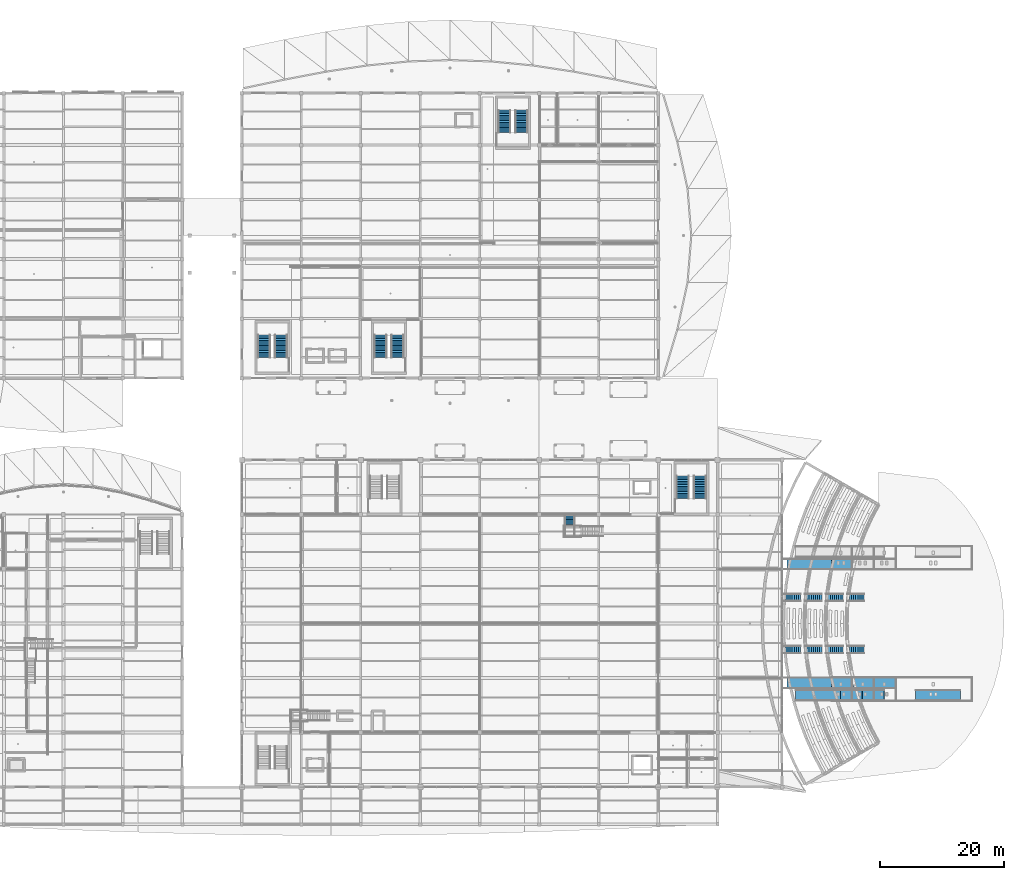
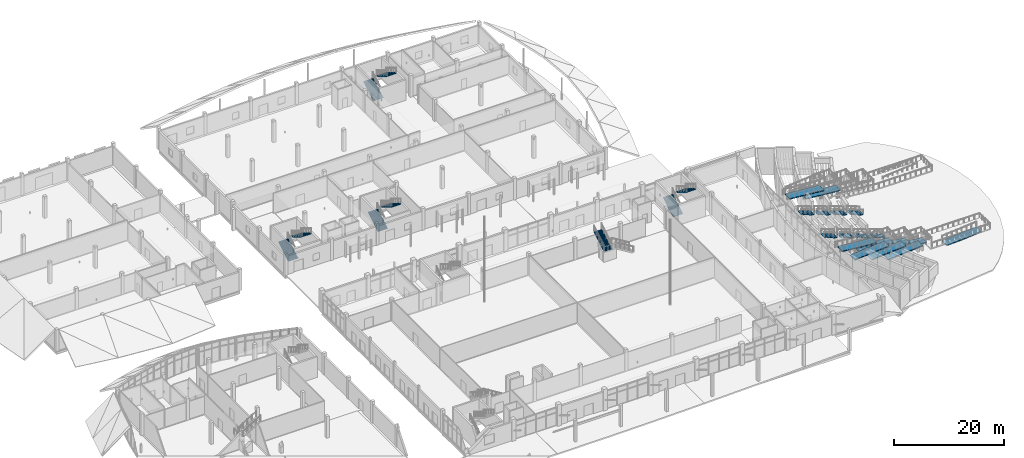
# One storey, part 88 of 116: 17 stair flights, 10 ramp flights, 13 elements without a shape of their own.
"""IFC4 building model written with IfcOpenShell, lengths in metres."""

from ifc_helpers import new_model, si_unit, direction, frame, origin, place, context, subcontext, project, spatial, polyline, outline, extrude, material, layer, layer_set, type_object, element, aggregate, save


model = new_model("IFC4")

# Units and contexts
model_context = context("Model", 3, precision=1e-05, world=origin(), true_north=direction((0.0, 1.0)))
body_context = subcontext(model_context, "Body", "Model", "MODEL_VIEW")
ifc_project = project(units=[si_unit("LENGTHUNIT", "METRE"), si_unit("AREAUNIT", "SQUARE_METRE"), si_unit("VOLUMEUNIT", "CUBIC_METRE"), si_unit("PLANEANGLEUNIT", "RADIAN"), si_unit("MASSUNIT", "GRAM", prefix="KILO")], contexts=[model_context])

# Site, building, storey
site_placement = place(None, origin())
site = spatial("IfcSite", under=ifc_project, at=site_placement, CompositionType="ELEMENT")
building_placement = place(site_placement, origin())
building = spatial("IfcBuilding", under=site, at=building_placement, Name="Chalmorin Arch Market", CompositionType="ELEMENT")
storey_placement = place(building_placement, origin())
storey = spatial("IfcBuildingStorey", under=building, at=storey_placement, Name="L00", CompositionType="ELEMENT", Elevation=0.0)

# Stair, stair flights
ifc_material_1 = material(Name="Concrete C40/50", Category="concrete")
stair_type_1 = type_object("IfcStairType", Name="DoglegExitStair-28R-SC4", PredefinedType="HALF_TURN_STAIR", material=ifc_material_1)
stair_1_placement = place(storey_placement, origin())
stair_1 = element("IfcStair", 1, at=stair_1_placement, inside=storey, type_object=stair_type_1, Name="ST-09", PredefinedType="HALF_TURN_STAIR")
ifc_layer_1 = layer(ifc_material_1, 0.1650390625)
ifc_layer_set_1 = layer_set([ifc_layer_1], Name="Concrete C40/50")
stair_flight_type_1 = type_object("IfcStairFlightType", Name="CoreStairFlight-2050", PredefinedType="STRAIGHT", material=ifc_layer_set_1)
stair_flight_1_placement = place(storey_placement, frame((119.1650390625, 52.56005859375, 0.0), z_axis=(0.0, 0.0, 1.0), x_axis=(0.0, 1.0, 0.0)))
stair_flight_1 = element("IfcStairFlight", 2, at=stair_flight_1_placement, type_object=stair_flight_type_1, Name="ST-09-F1", NumberOfRisers=14, NumberOfTreads=13, PredefinedType="STRAIGHT", RiserHeight=0.171429, TreadLength=0.28, context=body_context, shape_type="SweptSolid", body=[
    extrude(outline(polyline([(0.0, 0.0), (0.0, 0.17138671875), (0.280029296875, 0.17138671875), (0.280029296875, 0.3427734375), (0.56005859375, 0.3427734375), (0.56005859375, 0.514404296875), (0.840087890625, 0.514404296875), (0.840087890625, 0.685791015625), (1.1201171875, 0.685791015625), (1.1201171875, 0.857177734375), (1.39990234375, 0.857177734375), (1.39990234375, 1.028564453125), (1.679931640625, 1.028564453125), (1.679931640625, 1.199951171875), (1.9599609375, 1.199951171875), (1.9599609375, 1.371337890625), (2.239990234375, 1.371337890625), (2.239990234375, 1.54296875), (2.52001953125, 1.54296875), (2.52001953125, 1.71435546875), (2.800048828125, 1.71435546875), (2.800048828125, 1.8857421875), (3.080078125, 1.8857421875), (3.080078125, 2.05712890625), (3.360107421875, 2.05712890625), (3.360107421875, 2.228515625), (3.639892578125, 2.228515625), (3.639892578125, 2.39990234375), (3.639892578125, 2.03515625), (0.316162109375, 0.0), (0.0, 0.0)])), frame((0.0, 1.02490234375, 0.0), z_axis=(0.0, -1.0, 0.0), x_axis=(1.0, 0.0, 0.0)), (0.0, 0.0, 1.0), 2.050048828125),
])
stair_flight_2_placement = place(storey_placement, frame((121.93505859375, 56.199951171875, 2.39990234375), z_axis=(0.0, 0.0, 1.0), x_axis=(0.0, -1.0, 0.0)))
stair_flight_2 = element("IfcStairFlight", 3, at=stair_flight_2_placement, type_object=stair_flight_type_1, Name="ST-09-F2", NumberOfRisers=14, NumberOfTreads=13, PredefinedType="STRAIGHT", RiserHeight=0.171429, TreadLength=0.28, context=body_context, shape_type="SweptSolid", body=[
    extrude(outline(polyline([(0.0, 0.0), (0.0, 0.17138671875), (0.280029296875, 0.17138671875), (0.280029296875, 0.3427734375), (0.56005859375, 0.3427734375), (0.56005859375, 0.514404296875), (0.840087890625, 0.514404296875), (0.840087890625, 0.685791015625), (1.1201171875, 0.685791015625), (1.1201171875, 0.857177734375), (1.39990234375, 0.857177734375), (1.39990234375, 1.028564453125), (1.679931640625, 1.028564453125), (1.679931640625, 1.199951171875), (1.9599609375, 1.199951171875), (1.9599609375, 1.371337890625), (2.239990234375, 1.371337890625), (2.239990234375, 1.54296875), (2.52001953125, 1.54296875), (2.52001953125, 1.71435546875), (2.800048828125, 1.71435546875), (2.800048828125, 1.8857421875), (3.080078125, 1.8857421875), (3.080078125, 2.05712890625), (3.360107421875, 2.05712890625), (3.360107421875, 2.228515625), (3.639892578125, 2.228515625), (3.639892578125, 2.39990234375), (3.639892578125, 2.03515625), (0.316162109375, 0.0), (0.0, 0.0)])), frame((0.0, 1.02490234375, 0.0), z_axis=(0.0, -1.0, 0.0), x_axis=(1.0, 0.0, 0.0)), (0.0, 0.0, 1.0), 2.050048828125),
])
aggregate(stair_1, [stair_flight_1, stair_flight_2])

stair_type_2 = type_object("IfcStairType", Name="DoglegExitStair-28R-SC5", PredefinedType="HALF_TURN_STAIR", material=ifc_material_1)
stair_2_placement = place(storey_placement, origin())
stair_2 = element("IfcStair", 4, at=stair_2_placement, inside=storey, type_object=stair_type_2, Name="ST-12", PredefinedType="HALF_TURN_STAIR")
stair_flight_3_placement = place(storey_placement, frame((51.56494140625, 75.31005859375, 0.0), z_axis=(0.0, 0.0, 1.0), x_axis=(0.0, 1.0, 0.0)))
stair_flight_3 = element("IfcStairFlight", 5, at=stair_flight_3_placement, type_object=stair_flight_type_1, Name="ST-12-F1", NumberOfRisers=14, NumberOfTreads=13, PredefinedType="STRAIGHT", RiserHeight=0.171429, TreadLength=0.28, context=body_context, shape_type="SweptSolid", body=[
    extrude(outline(polyline([(0.0, 0.0), (0.0, 0.17138671875), (0.280029296875, 0.17138671875), (0.280029296875, 0.3427734375), (0.56005859375, 0.3427734375), (0.56005859375, 0.514404296875), (0.840087890625, 0.514404296875), (0.840087890625, 0.685791015625), (1.1201171875, 0.685791015625), (1.1201171875, 0.857177734375), (1.39990234375, 0.857177734375), (1.39990234375, 1.028564453125), (1.679931640625, 1.028564453125), (1.679931640625, 1.199951171875), (1.9599609375, 1.199951171875), (1.9599609375, 1.371337890625), (2.239990234375, 1.371337890625), (2.239990234375, 1.54296875), (2.52001953125, 1.54296875), (2.52001953125, 1.71435546875), (2.800048828125, 1.71435546875), (2.800048828125, 1.8857421875), (3.080078125, 1.8857421875), (3.080078125, 2.05712890625), (3.360107421875, 2.05712890625), (3.360107421875, 2.228515625), (3.639892578125, 2.228515625), (3.639892578125, 2.39990234375), (3.639892578125, 2.03515625), (0.316162109375, 0.0), (0.0, 0.0)])), frame((0.0, 1.02490234375, 0.0), z_axis=(0.0, -1.0, 0.0), x_axis=(1.0, 0.0, 0.0)), (0.0, 0.0, 1.0), 2.050048828125),
])
stair_flight_4_placement = place(storey_placement, frame((54.3349609375, 78.949951171875, 2.39990234375), z_axis=(0.0, 0.0, 1.0), x_axis=(0.0, -1.0, 0.0)))
stair_flight_4 = element("IfcStairFlight", 6, at=stair_flight_4_placement, type_object=stair_flight_type_1, Name="ST-12-F2", NumberOfRisers=14, NumberOfTreads=13, PredefinedType="STRAIGHT", RiserHeight=0.171429, TreadLength=0.28, context=body_context, shape_type="SweptSolid", body=[
    extrude(outline(polyline([(0.0, 0.0), (0.0, 0.17138671875), (0.280029296875, 0.17138671875), (0.280029296875, 0.3427734375), (0.56005859375, 0.3427734375), (0.56005859375, 0.514404296875), (0.840087890625, 0.514404296875), (0.840087890625, 0.685791015625), (1.1201171875, 0.685791015625), (1.1201171875, 0.857177734375), (1.39990234375, 0.857177734375), (1.39990234375, 1.028564453125), (1.679931640625, 1.028564453125), (1.679931640625, 1.199951171875), (1.9599609375, 1.199951171875), (1.9599609375, 1.371337890625), (2.239990234375, 1.371337890625), (2.239990234375, 1.54296875), (2.52001953125, 1.54296875), (2.52001953125, 1.71435546875), (2.800048828125, 1.71435546875), (2.800048828125, 1.8857421875), (3.080078125, 1.8857421875), (3.080078125, 2.05712890625), (3.360107421875, 2.05712890625), (3.360107421875, 2.228515625), (3.639892578125, 2.228515625), (3.639892578125, 2.39990234375), (3.639892578125, 2.03515625), (0.316162109375, 0.0), (0.0, 0.0)])), frame((0.0, 1.02490234375, 0.0), z_axis=(0.0, -1.0, 0.0), x_axis=(1.0, 0.0, 0.0)), (0.0, 0.0, 1.0), 2.050048828125),
])
aggregate(stair_2, [stair_flight_3, stair_flight_4])

stair_type_3 = type_object("IfcStairType", Name="DoglegExitStair-28R-SC6", PredefinedType="HALF_TURN_STAIR", material=ifc_material_1)
stair_3_placement = place(storey_placement, origin())
stair_3 = element("IfcStair", 7, at=stair_3_placement, inside=storey, type_object=stair_type_3, Name="ST-16", PredefinedType="HALF_TURN_STAIR")
stair_flight_5_placement = place(storey_placement, frame((90.364990234375, 111.610107421875, 0.0), z_axis=(0.0, 0.0, 1.0), x_axis=(0.0, 1.0, 0.0)))
stair_flight_5 = element("IfcStairFlight", 8, at=stair_flight_5_placement, type_object=stair_flight_type_1, Name="ST-16-F1", NumberOfRisers=14, NumberOfTreads=13, PredefinedType="STRAIGHT", RiserHeight=0.171429, TreadLength=0.28, context=body_context, shape_type="SweptSolid", body=[
    extrude(outline(polyline([(0.0, 0.0), (0.0, 0.17138671875), (0.280029296875, 0.17138671875), (0.280029296875, 0.3427734375), (0.56005859375, 0.3427734375), (0.56005859375, 0.514404296875), (0.840087890625, 0.514404296875), (0.840087890625, 0.685791015625), (1.1201171875, 0.685791015625), (1.1201171875, 0.857177734375), (1.39990234375, 0.857177734375), (1.39990234375, 1.028564453125), (1.679931640625, 1.028564453125), (1.679931640625, 1.199951171875), (1.9599609375, 1.199951171875), (1.9599609375, 1.371337890625), (2.239990234375, 1.371337890625), (2.239990234375, 1.54296875), (2.52001953125, 1.54296875), (2.52001953125, 1.71435546875), (2.800048828125, 1.71435546875), (2.800048828125, 1.8857421875), (3.080078125, 1.8857421875), (3.080078125, 2.05712890625), (3.360107421875, 2.05712890625), (3.360107421875, 2.228515625), (3.639892578125, 2.228515625), (3.639892578125, 2.39990234375), (3.639892578125, 2.03515625), (0.316162109375, 0.0), (0.0, 0.0)])), frame((0.0, 1.02490234375, 0.0), z_axis=(0.0, -1.0, 0.0), x_axis=(1.0, 0.0, 0.0)), (0.0, 0.0, 1.0), 2.050048828125),
])
stair_flight_6_placement = place(storey_placement, frame((93.135009765625, 115.25, 2.39990234375), z_axis=(0.0, 0.0, 1.0), x_axis=(0.0, -1.0, 0.0)))
stair_flight_6 = element("IfcStairFlight", 9, at=stair_flight_6_placement, type_object=stair_flight_type_1, Name="ST-16-F2", NumberOfRisers=14, NumberOfTreads=13, PredefinedType="STRAIGHT", RiserHeight=0.171429, TreadLength=0.28, context=body_context, shape_type="SweptSolid", body=[
    extrude(outline(polyline([(0.0, 0.0), (0.0, 0.17138671875), (0.280029296875, 0.17138671875), (0.280029296875, 0.3427734375), (0.56005859375, 0.3427734375), (0.56005859375, 0.514404296875), (0.840087890625, 0.514404296875), (0.840087890625, 0.685791015625), (1.1201171875, 0.685791015625), (1.1201171875, 0.857177734375), (1.39990234375, 0.857177734375), (1.39990234375, 1.028564453125), (1.679931640625, 1.028564453125), (1.679931640625, 1.199951171875), (1.9599609375, 1.199951171875), (1.9599609375, 1.371337890625), (2.239990234375, 1.371337890625), (2.239990234375, 1.54296875), (2.52001953125, 1.54296875), (2.52001953125, 1.71435546875), (2.800048828125, 1.71435546875), (2.800048828125, 1.8857421875), (3.080078125, 1.8857421875), (3.080078125, 2.05712890625), (3.360107421875, 2.05712890625), (3.360107421875, 2.228515625), (3.639892578125, 2.228515625), (3.639892578125, 2.39990234375), (3.639892578125, 2.03515625), (0.316162109375, 0.0), (0.0, 0.0)])), frame((0.0, 1.02490234375, 0.0), z_axis=(0.0, -1.0, 0.0), x_axis=(1.0, 0.0, 0.0)), (0.0, 0.0, 1.0), 2.050048828125),
])
aggregate(stair_3, [stair_flight_5, stair_flight_6])

stair_type_4 = type_object("IfcStairType", Name="DoglegExitStair-28R-SC7", PredefinedType="HALF_TURN_STAIR", material=ifc_material_1)
stair_4_placement = place(storey_placement, origin())
stair_4 = element("IfcStair", 10, at=stair_4_placement, inside=storey, type_object=stair_type_4, Name="ST-20", PredefinedType="HALF_TURN_STAIR")
stair_flight_7_placement = place(storey_placement, frame((70.364990234375, 75.31005859375, 0.0), z_axis=(0.0, 0.0, 1.0), x_axis=(0.0, 1.0, 0.0)))
stair_flight_7 = element("IfcStairFlight", 11, at=stair_flight_7_placement, type_object=stair_flight_type_1, Name="ST-20-F1", NumberOfRisers=14, NumberOfTreads=13, PredefinedType="STRAIGHT", RiserHeight=0.171429, TreadLength=0.28, context=body_context, shape_type="SweptSolid", body=[
    extrude(outline(polyline([(0.0, 0.0), (0.0, 0.17138671875), (0.280029296875, 0.17138671875), (0.280029296875, 0.3427734375), (0.56005859375, 0.3427734375), (0.56005859375, 0.514404296875), (0.840087890625, 0.514404296875), (0.840087890625, 0.685791015625), (1.1201171875, 0.685791015625), (1.1201171875, 0.857177734375), (1.39990234375, 0.857177734375), (1.39990234375, 1.028564453125), (1.679931640625, 1.028564453125), (1.679931640625, 1.199951171875), (1.9599609375, 1.199951171875), (1.9599609375, 1.371337890625), (2.239990234375, 1.371337890625), (2.239990234375, 1.54296875), (2.52001953125, 1.54296875), (2.52001953125, 1.71435546875), (2.800048828125, 1.71435546875), (2.800048828125, 1.8857421875), (3.080078125, 1.8857421875), (3.080078125, 2.05712890625), (3.360107421875, 2.05712890625), (3.360107421875, 2.228515625), (3.639892578125, 2.228515625), (3.639892578125, 2.39990234375), (3.639892578125, 2.03515625), (0.316162109375, 0.0), (0.0, 0.0)])), frame((0.0, 1.02490234375, 0.0), z_axis=(0.0, -1.0, 0.0), x_axis=(1.0, 0.0, 0.0)), (0.0, 0.0, 1.0), 2.050048828125),
])
stair_flight_8_placement = place(storey_placement, frame((73.135009765625, 78.949951171875, 2.39990234375), z_axis=(0.0, 0.0, 1.0), x_axis=(0.0, -1.0, 0.0)))
stair_flight_8 = element("IfcStairFlight", 12, at=stair_flight_8_placement, type_object=stair_flight_type_1, Name="ST-20-F2", NumberOfRisers=14, NumberOfTreads=13, PredefinedType="STRAIGHT", RiserHeight=0.171429, TreadLength=0.28, context=body_context, shape_type="SweptSolid", body=[
    extrude(outline(polyline([(0.0, 0.0), (0.0, 0.17138671875), (0.280029296875, 0.17138671875), (0.280029296875, 0.3427734375), (0.56005859375, 0.3427734375), (0.56005859375, 0.514404296875), (0.840087890625, 0.514404296875), (0.840087890625, 0.685791015625), (1.1201171875, 0.685791015625), (1.1201171875, 0.857177734375), (1.39990234375, 0.857177734375), (1.39990234375, 1.028564453125), (1.679931640625, 1.028564453125), (1.679931640625, 1.199951171875), (1.9599609375, 1.199951171875), (1.9599609375, 1.371337890625), (2.239990234375, 1.371337890625), (2.239990234375, 1.54296875), (2.52001953125, 1.54296875), (2.52001953125, 1.71435546875), (2.800048828125, 1.71435546875), (2.800048828125, 1.8857421875), (3.080078125, 1.8857421875), (3.080078125, 2.05712890625), (3.360107421875, 2.05712890625), (3.360107421875, 2.228515625), (3.639892578125, 2.228515625), (3.639892578125, 2.39990234375), (3.639892578125, 2.03515625), (0.316162109375, 0.0), (0.0, 0.0)])), frame((0.0, 1.02490234375, 0.0), z_axis=(0.0, -1.0, 0.0), x_axis=(1.0, 0.0, 0.0)), (0.0, 0.0, 1.0), 2.050048828125),
])
aggregate(stair_4, [stair_flight_7, stair_flight_8])

# Stair, stair flight
ifc_material_2 = material(Name="Steel A992 Grade 50", Category="steel")
stair_type_5 = type_object("IfcStairType", Name="GalleryFeatureStair-Steel", PredefinedType="QUARTER_TURN_STAIR", material=ifc_material_2)
stair_5_placement = place(storey_placement, origin())
stair_5 = element("IfcStair", 13, at=stair_5_placement, inside=storey, type_object=stair_type_5, Name="ST-27", PredefinedType="QUARTER_TURN_STAIR")
ifc_layer_2 = layer(ifc_material_2, 0.159912109375)
ifc_layer_set_2 = layer_set([ifc_layer_2], Name="Steel A992 Grade 50")
stair_flight_type_2 = type_object("IfcStairFlightType", Name="FeatureStairFlight-1650", PredefinedType="STRAIGHT", material=ifc_layer_set_2)
stair_flight_9_placement = place(storey_placement, frame((100.89990234375, 46.389892578125, 2.39990234375), z_axis=(0.0, 0.0, 1.0), x_axis=(0.0, 1.0, 0.0)))
stair_flight_9 = element("IfcStairFlight", 14, at=stair_flight_9_placement, type_object=stair_flight_type_2, Name="ST-27-F2", NumberOfRisers=14, NumberOfTreads=13, PredefinedType="STRAIGHT", RiserHeight=0.171429, TreadLength=0.28, context=body_context, shape_type="SweptSolid", body=[
    extrude(outline(polyline([(0.0, 0.0), (0.0, 0.17138671875), (0.280029296875, 0.17138671875), (0.280029296875, 0.3427734375), (0.56005859375, 0.3427734375), (0.56005859375, 0.514404296875), (0.840087890625, 0.514404296875), (0.840087890625, 0.685791015625), (1.1201171875, 0.685791015625), (1.1201171875, 0.857177734375), (1.39990234375, 0.857177734375), (1.39990234375, 1.028564453125), (1.679931640625, 1.028564453125), (1.679931640625, 1.199951171875), (1.9599609375, 1.199951171875), (1.9599609375, 1.371337890625), (2.239990234375, 1.371337890625), (2.239990234375, 1.54296875), (2.52001953125, 1.54296875), (2.52001953125, 1.71435546875), (2.800048828125, 1.71435546875), (2.800048828125, 1.8857421875), (3.080078125, 1.8857421875), (3.080078125, 2.05712890625), (3.360107421875, 2.05712890625), (3.360107421875, 2.228515625), (3.639892578125, 2.228515625), (3.639892578125, 2.39990234375), (3.639892578125, 2.041015625), (0.30615234375, 0.0), (0.0, 0.0)])), frame((0.0, 0.824951171875, 0.0), z_axis=(0.0, -1.0, 0.0), x_axis=(1.0, 0.0, 0.0)), (0.0, 0.0, 1.0), 1.64990234375),
])
aggregate(stair_5, [stair_flight_9])

# Stair, stair flights
stair_type_6 = type_object("IfcStairType", Name="TerraceCascadeStair-Granite", PredefinedType="STRAIGHT_RUN_STAIR", material=ifc_material_1)
stair_6_placement = place(storey_placement, origin())
stair_6 = element("IfcStair", 15, at=stair_6_placement, inside=storey, type_object=stair_type_6, Name="ST-30", PredefinedType="STRAIGHT_RUN_STAIR")
ifc_layer_3 = layer(ifc_material_1, 0.1650390625)
ifc_layer_set_3 = layer_set([ifc_layer_3], Name="Concrete C40/50")
stair_flight_type_3 = type_object("IfcStairFlightType", Name="TerraceStairFlight-1300", PredefinedType="STRAIGHT", material=ifc_layer_set_3)
stair_flight_10_placement = place(storey_placement, frame((148.429931640625, 28.199951171875, 0.0), z_axis=(0.0, 0.0, 1.0), x_axis=(-1.0, 0.0, 0.0)))
stair_flight_10 = element("IfcStairFlight", 16, at=stair_flight_10_placement, type_object=stair_flight_type_3, Name="ST-30-F1", NumberOfRisers=9, NumberOfTreads=8, PredefinedType="STRAIGHT", RiserHeight=0.133333, TreadLength=0.34, context=body_context, shape_type="SweptSolid", body=[
    extrude(outline(polyline([(0.0, 0.0), (0.0, 0.13330078125), (0.340087890625, 0.13330078125), (0.340087890625, 0.2666015625), (0.679931640625, 0.2666015625), (0.679931640625, 0.39990234375), (1.02001953125, 0.39990234375), (1.02001953125, 0.533447265625), (1.360107421875, 0.533447265625), (1.360107421875, 0.666748046875), (1.699951171875, 0.666748046875), (1.699951171875, 0.800048828125), (2.0400390625, 0.800048828125), (2.0400390625, 0.933349609375), (2.3798828125, 0.933349609375), (2.3798828125, 1.066650390625), (2.719970703125, 1.066650390625), (2.719970703125, 1.199951171875), (2.719970703125, 0.889404296875), (0.4521484375, 0.0), (0.0, 0.0)])), frame((0.0, 0.64990234375, 0.0), z_axis=(0.0, -1.0, 0.0), x_axis=(1.0, 0.0, 0.0)), (0.0, 0.0, 1.0), 1.300048828125),
])
stair_flight_11_placement = place(storey_placement, frame((145.011962890625, 28.199951171875, 1.199951171875), z_axis=(0.0, 0.0, 1.0), x_axis=(-1.0, 0.0, 0.0)))
stair_flight_11 = element("IfcStairFlight", 17, at=stair_flight_11_placement, type_object=stair_flight_type_3, Name="ST-30-F2", NumberOfRisers=9, NumberOfTreads=8, PredefinedType="STRAIGHT", RiserHeight=0.133333, TreadLength=0.34, context=body_context, shape_type="SweptSolid", body=[
    extrude(outline(polyline([(0.0, 0.0), (0.0, 0.13330078125), (0.340087890625, 0.13330078125), (0.340087890625, 0.2666015625), (0.679931640625, 0.2666015625), (0.679931640625, 0.39990234375), (1.02001953125, 0.39990234375), (1.02001953125, 0.533447265625), (1.360107421875, 0.533447265625), (1.360107421875, 0.666748046875), (1.699951171875, 0.666748046875), (1.699951171875, 0.800048828125), (2.0400390625, 0.800048828125), (2.0400390625, 0.933349609375), (2.3798828125, 0.933349609375), (2.3798828125, 1.066650390625), (2.719970703125, 1.066650390625), (2.719970703125, 1.199951171875), (2.719970703125, 0.889404296875), (0.4521484375, 0.0), (0.0, 0.0)])), frame((0.0, 0.64990234375, 0.0), z_axis=(0.0, -1.0, 0.0), x_axis=(1.0, 0.0, 0.0)), (0.0, 0.0, 1.0), 1.300048828125),
])
stair_flight_12_placement = place(storey_placement, frame((141.595947265625, 28.199951171875, 2.39990234375), z_axis=(0.0, 0.0, 1.0), x_axis=(-1.0, 0.0, 0.0)))
stair_flight_12 = element("IfcStairFlight", 18, at=stair_flight_12_placement, type_object=stair_flight_type_3, Name="ST-30-F3", NumberOfRisers=9, NumberOfTreads=8, PredefinedType="STRAIGHT", RiserHeight=0.133333, TreadLength=0.34, context=body_context, shape_type="SweptSolid", body=[
    extrude(outline(polyline([(0.0, 0.0), (0.0, 0.13330078125), (0.340087890625, 0.13330078125), (0.340087890625, 0.2666015625), (0.679931640625, 0.2666015625), (0.679931640625, 0.39990234375), (1.02001953125, 0.39990234375), (1.02001953125, 0.533447265625), (1.360107421875, 0.533447265625), (1.360107421875, 0.666748046875), (1.699951171875, 0.666748046875), (1.699951171875, 0.800048828125), (2.0400390625, 0.800048828125), (2.0400390625, 0.933349609375), (2.3798828125, 0.933349609375), (2.3798828125, 1.066650390625), (2.719970703125, 1.066650390625), (2.719970703125, 1.199951171875), (2.719970703125, 0.889404296875), (0.4521484375, 0.0), (0.0, 0.0)])), frame((0.0, 0.64990234375, 0.0), z_axis=(0.0, -1.0, 0.0), x_axis=(1.0, 0.0, 0.0)), (0.0, 0.0, 1.0), 1.300048828125),
])
stair_flight_13_placement = place(storey_placement, frame((138.181884765625, 28.199951171875, 3.60009765625), z_axis=(0.0, 0.0, 1.0), x_axis=(-1.0, 0.0, 0.0)))
stair_flight_13 = element("IfcStairFlight", 19, at=stair_flight_13_placement, type_object=stair_flight_type_3, Name="ST-30-F4", NumberOfRisers=9, NumberOfTreads=8, PredefinedType="STRAIGHT", RiserHeight=0.133333, TreadLength=0.34, context=body_context, shape_type="SweptSolid", body=[
    extrude(outline(polyline([(0.0, 0.0), (0.0, 0.13330078125), (0.340087890625, 0.13330078125), (0.340087890625, 0.2666015625), (0.679931640625, 0.2666015625), (0.679931640625, 0.39990234375), (1.02001953125, 0.39990234375), (1.02001953125, 0.533447265625), (1.360107421875, 0.533447265625), (1.360107421875, 0.666748046875), (1.699951171875, 0.666748046875), (1.699951171875, 0.800048828125), (2.0400390625, 0.800048828125), (2.0400390625, 0.933349609375), (2.3798828125, 0.933349609375), (2.3798828125, 1.066650390625), (2.719970703125, 1.066650390625), (2.719970703125, 1.199951171875), (2.719970703125, 0.889404296875), (0.4521484375, 0.0), (0.0, 0.0)])), frame((0.0, 0.64990234375, 0.0), z_axis=(0.0, -1.0, 0.0), x_axis=(1.0, 0.0, 0.0)), (0.0, 0.0, 1.0), 1.300048828125),
])
aggregate(stair_6, [stair_flight_10, stair_flight_11, stair_flight_12, stair_flight_13])

stair_7_placement = place(storey_placement, origin())
stair_7 = element("IfcStair", 20, at=stair_7_placement, inside=storey, type_object=stair_type_6, Name="ST-31", PredefinedType="STRAIGHT_RUN_STAIR")
stair_flight_14_placement = place(storey_placement, frame((148.429931640625, 36.60009765625, 0.0), z_axis=(0.0, 0.0, 1.0), x_axis=(-1.0, 0.0, 0.0)))
stair_flight_14 = element("IfcStairFlight", 21, at=stair_flight_14_placement, type_object=stair_flight_type_3, Name="ST-31-F1", NumberOfRisers=9, NumberOfTreads=8, PredefinedType="STRAIGHT", RiserHeight=0.133333, TreadLength=0.34, context=body_context, shape_type="SweptSolid", body=[
    extrude(outline(polyline([(0.0, 0.0), (0.0, 0.13330078125), (0.340087890625, 0.13330078125), (0.340087890625, 0.2666015625), (0.679931640625, 0.2666015625), (0.679931640625, 0.39990234375), (1.02001953125, 0.39990234375), (1.02001953125, 0.533447265625), (1.360107421875, 0.533447265625), (1.360107421875, 0.666748046875), (1.699951171875, 0.666748046875), (1.699951171875, 0.800048828125), (2.0400390625, 0.800048828125), (2.0400390625, 0.933349609375), (2.3798828125, 0.933349609375), (2.3798828125, 1.066650390625), (2.719970703125, 1.066650390625), (2.719970703125, 1.199951171875), (2.719970703125, 0.889404296875), (0.4521484375, 0.0), (0.0, 0.0)])), frame((0.0, 0.64990234375, 0.0), z_axis=(0.0, -1.0, 0.0), x_axis=(1.0, 0.0, 0.0)), (0.0, 0.0, 1.0), 1.300048828125),
])
stair_flight_15_placement = place(storey_placement, frame((145.011962890625, 36.60009765625, 1.199951171875), z_axis=(0.0, 0.0, 1.0), x_axis=(-1.0, 0.0, 0.0)))
stair_flight_15 = element("IfcStairFlight", 22, at=stair_flight_15_placement, type_object=stair_flight_type_3, Name="ST-31-F2", NumberOfRisers=9, NumberOfTreads=8, PredefinedType="STRAIGHT", RiserHeight=0.133333, TreadLength=0.34, context=body_context, shape_type="SweptSolid", body=[
    extrude(outline(polyline([(0.0, 0.0), (0.0, 0.13330078125), (0.340087890625, 0.13330078125), (0.340087890625, 0.2666015625), (0.679931640625, 0.2666015625), (0.679931640625, 0.39990234375), (1.02001953125, 0.39990234375), (1.02001953125, 0.533447265625), (1.360107421875, 0.533447265625), (1.360107421875, 0.666748046875), (1.699951171875, 0.666748046875), (1.699951171875, 0.800048828125), (2.0400390625, 0.800048828125), (2.0400390625, 0.933349609375), (2.3798828125, 0.933349609375), (2.3798828125, 1.066650390625), (2.719970703125, 1.066650390625), (2.719970703125, 1.199951171875), (2.719970703125, 0.889404296875), (0.4521484375, 0.0), (0.0, 0.0)])), frame((0.0, 0.64990234375, 0.0), z_axis=(0.0, -1.0, 0.0), x_axis=(1.0, 0.0, 0.0)), (0.0, 0.0, 1.0), 1.300048828125),
])
stair_flight_16_placement = place(storey_placement, frame((141.595947265625, 36.60009765625, 2.39990234375), z_axis=(0.0, 0.0, 1.0), x_axis=(-1.0, 0.0, 0.0)))
stair_flight_16 = element("IfcStairFlight", 23, at=stair_flight_16_placement, type_object=stair_flight_type_3, Name="ST-31-F3", NumberOfRisers=9, NumberOfTreads=8, PredefinedType="STRAIGHT", RiserHeight=0.133333, TreadLength=0.34, context=body_context, shape_type="SweptSolid", body=[
    extrude(outline(polyline([(0.0, 0.0), (0.0, 0.13330078125), (0.340087890625, 0.13330078125), (0.340087890625, 0.2666015625), (0.679931640625, 0.2666015625), (0.679931640625, 0.39990234375), (1.02001953125, 0.39990234375), (1.02001953125, 0.533447265625), (1.360107421875, 0.533447265625), (1.360107421875, 0.666748046875), (1.699951171875, 0.666748046875), (1.699951171875, 0.800048828125), (2.0400390625, 0.800048828125), (2.0400390625, 0.933349609375), (2.3798828125, 0.933349609375), (2.3798828125, 1.066650390625), (2.719970703125, 1.066650390625), (2.719970703125, 1.199951171875), (2.719970703125, 0.889404296875), (0.4521484375, 0.0), (0.0, 0.0)])), frame((0.0, 0.64990234375, 0.0), z_axis=(0.0, -1.0, 0.0), x_axis=(1.0, 0.0, 0.0)), (0.0, 0.0, 1.0), 1.300048828125),
])
stair_flight_17_placement = place(storey_placement, frame((138.181884765625, 36.60009765625, 3.60009765625), z_axis=(0.0, 0.0, 1.0), x_axis=(-1.0, 0.0, 0.0)))
stair_flight_17 = element("IfcStairFlight", 24, at=stair_flight_17_placement, type_object=stair_flight_type_3, Name="ST-31-F4", NumberOfRisers=9, NumberOfTreads=8, PredefinedType="STRAIGHT", RiserHeight=0.133333, TreadLength=0.34, context=body_context, shape_type="SweptSolid", body=[
    extrude(outline(polyline([(0.0, 0.0), (0.0, 0.13330078125), (0.340087890625, 0.13330078125), (0.340087890625, 0.2666015625), (0.679931640625, 0.2666015625), (0.679931640625, 0.39990234375), (1.02001953125, 0.39990234375), (1.02001953125, 0.533447265625), (1.360107421875, 0.533447265625), (1.360107421875, 0.666748046875), (1.699951171875, 0.666748046875), (1.699951171875, 0.800048828125), (2.0400390625, 0.800048828125), (2.0400390625, 0.933349609375), (2.3798828125, 0.933349609375), (2.3798828125, 1.066650390625), (2.719970703125, 1.066650390625), (2.719970703125, 1.199951171875), (2.719970703125, 0.889404296875), (0.4521484375, 0.0), (0.0, 0.0)])), frame((0.0, 0.64990234375, 0.0), z_axis=(0.0, -1.0, 0.0), x_axis=(1.0, 0.0, 0.0)), (0.0, 0.0, 1.0), 1.300048828125),
])
aggregate(stair_7, [stair_flight_14, stair_flight_15, stair_flight_16, stair_flight_17])

# Ramp, ramp flights
ramp_type = type_object("IfcRampType", Name="AmphitheatreAccessibleRamp-1800", PredefinedType="HALF_TURN_RAMP", material=ifc_material_1)
ramp_1_placement = place(storey_placement, origin())
ramp_1 = element("IfcRamp", 25, at=ramp_1_placement, inside=storey, type_object=ramp_type, material=ifc_material_1, Name="RMP-01", PredefinedType="HALF_TURN_RAMP")
ifc_layer_4 = layer(ifc_material_1, 0.199951171875)
ifc_layer_set_4 = layer_set([ifc_layer_4], Name="Concrete C40/50")
ramp_flight_type = type_object("IfcRampFlightType", Name="AccessibleRampFlight-1800", PredefinedType="STRAIGHT", material=ifc_layer_set_4)
ramp_flight_1_placement = place(storey_placement, frame((156.75, 19.89990234375, 0.0), z_axis=(-0.083059462528, 0.0, 0.996544592923), x_axis=(0.996544592923, 0.0, 0.083059462528)))
ramp_flight_1 = element("IfcRampFlight", 26, at=ramp_flight_1_placement, type_object=ramp_flight_type, material=ifc_material_1, Name="RMP-01-F1", PredefinedType="STRAIGHT", context=body_context, shape_type="SweptSolid", body=[
    extrude(outline(polyline([(0.0, 0.0), (7.224916198435864, 0.0), (7.224916198435864, 1.800048828125), (0.0, 1.800048828125), (0.0, 0.0)])), origin(), (0.0, 0.0, -1.0), 0.199951171875),
])
ramp_flight_2_placement = place(storey_placement, frame((146.39892578125, 21.89990234375, 1.199951171875), z_axis=(0.083023108232, 0.0, 0.996547622294), x_axis=(0.996547622294, 0.0, -0.083023108232)))
ramp_flight_2 = element("IfcRampFlight", 27, at=ramp_flight_2_placement, type_object=ramp_flight_type, material=ifc_material_1, Name="RMP-01-F2", PredefinedType="STRAIGHT", context=body_context, shape_type="SweptSolid", body=[
    extrude(outline(polyline([(0.0, 0.0), (7.225139222074177, 0.0), (7.225139222074177, 1.8000488281249998), (0.0, 1.8000488281249998), (0.0, 0.0)])), origin(), (0.0, 0.0, -1.0), 0.199951171875),
])
aggregate(ramp_1, [ramp_flight_1, ramp_flight_2])

ramp_2_placement = place(storey_placement, origin())
ramp_2 = element("IfcRamp", 28, at=ramp_2_placement, inside=storey, type_object=ramp_type, material=ifc_material_1, Name="RMP-03", PredefinedType="HALF_TURN_RAMP")
ramp_flight_3_placement = place(storey_placement, frame((144.462890625, 19.89990234375, 1.199951171875), z_axis=(-0.083056665618, 0.0, 0.996544826035), x_axis=(0.996544826035, 0.0, 0.083056665618)))
ramp_flight_3 = element("IfcRampFlight", 29, at=ramp_flight_3_placement, type_object=ramp_flight_type, material=ifc_material_1, Name="RMP-03-F1", PredefinedType="STRAIGHT", context=body_context, shape_type="SweptSolid", body=[
    extrude(outline(polyline([(0.0, 0.0), (7.2251594954840765, 0.0), (7.2251594954840765, 1.800048828125), (0.0, 1.800048828125), (0.0, 0.0)])), origin(), (0.0, 0.0, -1.0), 0.199951171875),
])
ramp_flight_4_placement = place(storey_placement, frame((142.9150390625, 21.89990234375, 2.39990234375), z_axis=(0.083025904028, 0.0, 0.99654738937), x_axis=(0.99654738937, 0.0, -0.083025904028)))
ramp_flight_4 = element("IfcRampFlight", 30, at=ramp_flight_4_placement, type_object=ramp_flight_type, material=ifc_material_1, Name="RMP-03-F2", PredefinedType="STRAIGHT", context=body_context, shape_type="SweptSolid", body=[
    extrude(outline(polyline([(0.0, 0.0), (7.224895924343261, 0.0), (7.224895924343261, 1.800048828125), (0.0, 1.800048828125), (0.0, 0.0)])), origin(), (0.0, 0.0, -1.0), 0.199951171875),
])
aggregate(ramp_2, [ramp_flight_3, ramp_flight_4])

ramp_3_placement = place(storey_placement, origin())
ramp_3 = element("IfcRamp", 31, at=ramp_3_placement, inside=storey, type_object=ramp_type, material=ifc_material_1, Name="RMP-05", PredefinedType="HALF_TURN_RAMP")
ramp_flight_5_placement = place(storey_placement, frame((140.9130859375, 19.89990234375, 2.39990234375), z_axis=(-0.083059462528, 0.0, 0.996544592923), x_axis=(0.996544592923, 0.0, 0.083059462528)))
ramp_flight_5 = element("IfcRampFlight", 32, at=ramp_flight_5_placement, type_object=ramp_flight_type, material=ifc_material_1, Name="RMP-05-F1", PredefinedType="STRAIGHT", context=body_context, shape_type="SweptSolid", body=[
    extrude(outline(polyline([(0.0, 0.0), (7.224916198435864, 0.0), (7.224916198435864, 1.800048828125), (0.0, 1.800048828125), (0.0, 0.0)])), origin(), (0.0, 0.0, -1.0), 0.199951171875),
])
ramp_flight_6_placement = place(storey_placement, frame((139.445068359375, 21.89990234375, 3.60009765625), z_axis=(0.083059462528, 0.0, 0.996544592923), x_axis=(0.996544592923, 0.0, -0.083059462528)))
ramp_flight_6 = element("IfcRampFlight", 33, at=ramp_flight_6_placement, type_object=ramp_flight_type, material=ifc_material_1, Name="RMP-05-F2", PredefinedType="STRAIGHT", context=body_context, shape_type="SweptSolid", body=[
    extrude(outline(polyline([(0.0, 0.0), (7.224916198435864, 0.0), (7.224916198435864, 1.800048828125), (0.0, 1.800048828125), (0.0, 0.0)])), origin(), (0.0, 0.0, -1.0), 0.199951171875),
])
aggregate(ramp_3, [ramp_flight_5, ramp_flight_6])

# Ramp, ramp flight
ramp_4_placement = place(storey_placement, origin())
ramp_4 = element("IfcRamp", 34, at=ramp_4_placement, inside=storey, type_object=ramp_type, material=ifc_material_1, Name="RMP-06", PredefinedType="HALF_TURN_RAMP")
ramp_flight_7_placement = place(storey_placement, frame((139.445068359375, 41.10009765625, 3.60009765625), z_axis=(0.083059462528, 0.0, 0.996544592923), x_axis=(0.996544592923, 0.0, -0.083059462528)))
ramp_flight_7 = element("IfcRampFlight", 35, at=ramp_flight_7_placement, type_object=ramp_flight_type, material=ifc_material_1, Name="RMP-06-F2", PredefinedType="STRAIGHT", context=body_context, shape_type="SweptSolid", body=[
    extrude(outline(polyline([(0.0, 0.0), (7.224916198435864, 0.0), (7.224916198435864, 1.7998046875), (0.0, 1.7998046875), (0.0, 0.0)])), origin(), (0.0, 0.0, -1.0), 0.199951171875),
])
aggregate(ramp_4, [ramp_flight_7])

# Ramp, ramp flights
ramp_5_placement = place(storey_placement, origin())
ramp_5 = element("IfcRamp", 36, at=ramp_5_placement, inside=storey, type_object=ramp_type, material=ifc_material_1, Name="RMP-07", PredefinedType="HALF_TURN_RAMP")
ramp_flight_8_placement = place(storey_placement, frame((137.385009765625, 19.89990234375, 3.60009765625), z_axis=(-0.083025904028, 0.0, 0.99654738937), x_axis=(0.99654738937, 0.0, 0.083025904028)))
ramp_flight_8 = element("IfcRampFlight", 37, at=ramp_flight_8_placement, type_object=ramp_flight_type, material=ifc_material_1, Name="RMP-07-F1", PredefinedType="STRAIGHT", context=body_context, shape_type="SweptSolid", body=[
    extrude(outline(polyline([(0.0, 0.0), (7.224895924343261, 0.0), (7.224895924343261, 1.800048828125), (0.0, 1.800048828125), (0.0, 0.0)])), origin(), (0.0, 0.0, -1.0), 0.199951171875),
])
ramp_flight_9_placement = place(storey_placement, frame((135.985107421875, 21.89990234375, 4.800048828125), z_axis=(0.083059462528, 0.0, 0.996544592923), x_axis=(0.996544592923, 0.0, -0.083059462528)))
ramp_flight_9 = element("IfcRampFlight", 38, at=ramp_flight_9_placement, type_object=ramp_flight_type, material=ifc_material_1, Name="RMP-07-F2", PredefinedType="STRAIGHT", context=body_context, shape_type="SweptSolid", body=[
    extrude(outline(polyline([(0.0, 0.0), (7.224916198435864, 0.0), (7.224916198435864, 1.800048828125), (0.0, 1.800048828125), (0.0, 0.0)])), origin(), (0.0, 0.0, -1.0), 0.199951171875),
])
aggregate(ramp_5, [ramp_flight_8, ramp_flight_9])

# Ramp, ramp flight
ramp_6_placement = place(storey_placement, origin())
ramp_6 = element("IfcRamp", 39, at=ramp_6_placement, inside=storey, type_object=ramp_type, material=ifc_material_1, Name="RMP-08", PredefinedType="HALF_TURN_RAMP")
ramp_flight_10_placement = place(storey_placement, frame((135.985107421875, 41.10009765625, 4.800048828125), z_axis=(0.083059462528, 0.0, 0.996544592923), x_axis=(0.996544592923, 0.0, -0.083059462528)))
ramp_flight_10 = element("IfcRampFlight", 40, at=ramp_flight_10_placement, type_object=ramp_flight_type, material=ifc_material_1, Name="RMP-08-F2", PredefinedType="STRAIGHT", context=body_context, shape_type="SweptSolid", body=[
    extrude(outline(polyline([(0.0, 0.0), (7.224916198435864, 0.0), (7.224916198435864, 1.7998046875), (0.0, 1.7998046875), (0.0, 0.0)])), origin(), (0.0, 0.0, -1.0), 0.199951171875),
])
aggregate(ramp_6, [ramp_flight_10])

save(model, "model.ifc")
